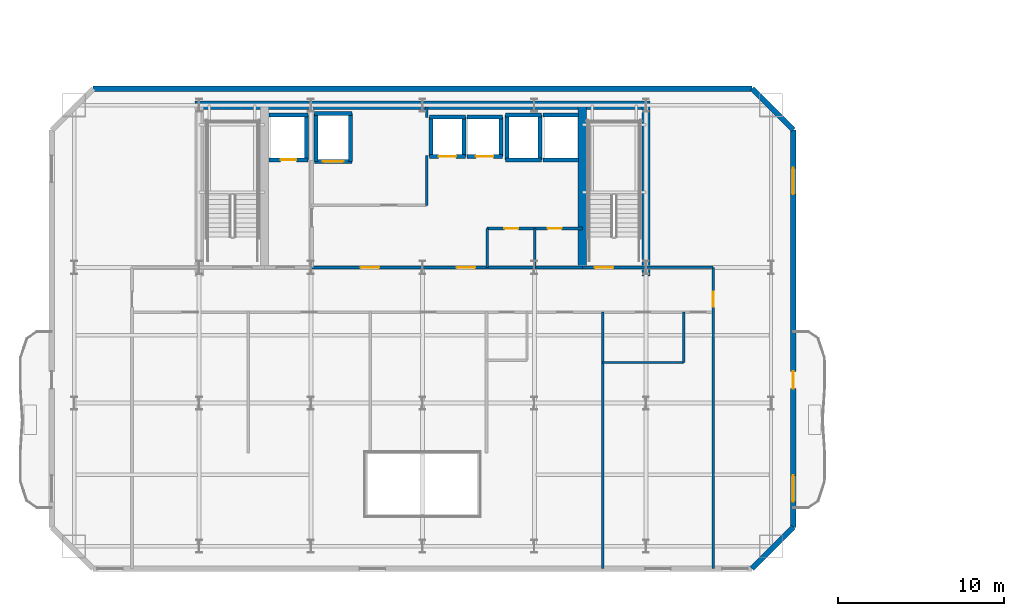
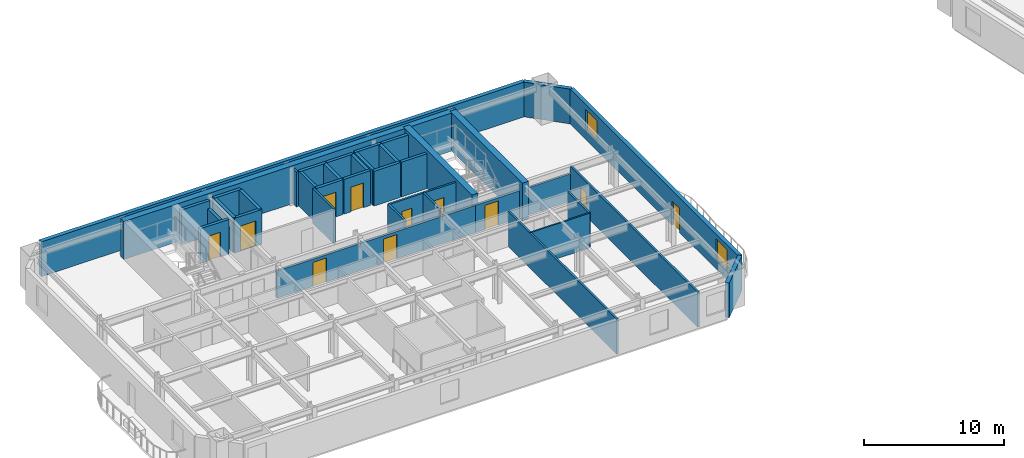
# One storey, part 6 of 13: 39 walls, 11 doors, 2 windows, 13 openings.
"""IFC4 building model written with IfcOpenShell, lengths in metres."""

from ifc_helpers import new_model, si_unit, direction, frame, frame_2d, origin, place, context, subcontext, project, spatial, rectangle, extrude, material, layer, layer_set, type_object, element, fill, save


model = new_model("IFC4")

# Units and contexts
model_context = context("Model", 3, precision=1e-05, world=origin(), true_north=direction((0.0, 1.0)))
body_context = subcontext(model_context, "Body", "Model", "MODEL_VIEW")
ifc_project = project(units=[si_unit("LENGTHUNIT", "METRE"), si_unit("AREAUNIT", "SQUARE_METRE"), si_unit("VOLUMEUNIT", "CUBIC_METRE"), si_unit("PLANEANGLEUNIT", "RADIAN"), si_unit("MASSUNIT", "GRAM", prefix="KILO")], contexts=[model_context])

# Site, building, storey
site_placement = place(None, origin())
site = spatial("IfcSite", under=ifc_project, at=site_placement, CompositionType="ELEMENT")
building_placement = place(site_placement, origin())
building = spatial("IfcBuilding", under=site, at=building_placement, Name="Haevon Station Towers", CompositionType="ELEMENT")
storey_placement = place(building_placement, frame((0.0, 0.0, 126.300048828125)))
storey = spatial("IfcBuildingStorey", under=building, at=storey_placement, Name="L34", CompositionType="ELEMENT", Elevation=126.300048828125)

# Wall, opening, door
ifc_material_1 = material(Name="Gypsum board on steel stud", Category="steel")
ifc_layer_1 = layer(ifc_material_1, 0.199951171875)
ifc_layer_set_1 = layer_set([ifc_layer_1], Name="Gypsum board on steel stud")
wall_type_1 = type_object("IfcWallType", Name="WL-COR200", PredefinedType="PARTITIONING", material=ifc_layer_set_1)
wall_1_placement = place(storey_placement, frame((47.14990234375, 38.199951171875, 0.0), z_axis=(0.0, 0.0, 1.0), x_axis=(1.0, 0.0, 0.0)))
wall_1 = element("IfcWall", 1, at=wall_1_placement, inside=storey, type_object=wall_type_1, Name="WL-ST-ST2-L34", PredefinedType="PARTITIONING", context=body_context, shape_type="SweptSolid", body=[
    extrude(rectangle(XDim=3.85009765625, YDim=0.199951171875, at=frame_2d((1.925048828125, 0.0))), origin(), (0.0, 0.0, 1.0), 2.3798828125),
])
opening_1_placement = place(wall_1_placement, frame((0.75, 0.0, 0.0)))
opening_1 = element("IfcOpeningElement", 2, at=opening_1_placement, cuts=wall_1, Name="Opening DR-ST-ST2-L34", PredefinedType="OPENING", context=body_context, shape_type="SweptSolid", body=[
    extrude(rectangle(XDim=1.1201171875, YDim=2.10009765625, at=frame_2d((0.56005859375, 1.050048828125))), frame((0.0, 0.10986328125, 0.0), z_axis=(0.0, -1.0, 0.0), x_axis=(1.0, 0.0, 0.0)), (0.0, 0.0, 1.0), 0.219970703125),
])
ifc_material_2 = material(Name="Engineered oak timber", Category="wood")
door_type_1 = type_object("IfcDoorType", Name="DR-ST-1120", OperationType="NOTDEFINED", PredefinedType="DOOR", material=ifc_material_2)
door_1_placement = place(opening_1_placement, origin())
door_1 = element("IfcDoor", 3, at=door_1_placement, inside=storey, type_object=door_type_1, Name="L34 Escape Stair ST2 Fire Door", OperationType="SINGLE_SWING_RIGHT", OverallHeight=2.10009765625, OverallWidth=1.1201171875, PredefinedType="DOOR", context=body_context, shape_type="SweptSolid", body=[
    extrude(rectangle(XDim=1.1201171875, YDim=2.10009765625, at=frame_2d((0.56005859375, 1.050048828125))), frame((0.0, 0.02490234375, 0.0), z_axis=(0.0, -1.0, 0.0), x_axis=(1.0, 0.0, 0.0)), (0.0, 0.0, 1.0), 0.050048828125),
])
fill(opening_1, door_1)

# Wall, openings, doors
wall_2_placement = place(storey_placement, frame((30.800048828125, 38.199951171875, 0.0), z_axis=(0.0, 0.0, 1.0), x_axis=(1.0, 0.0, 0.0)))
wall_2 = element("IfcWall", 4, at=wall_2_placement, inside=storey, type_object=wall_type_1, Name="WL-T1CLB-L34", PredefinedType="PARTITIONING", context=body_context, shape_type="SweptSolid", body=[
    extrude(rectangle(XDim=16.349853515625, YDim=0.199951171875, at=frame_2d((8.1748046875, 0.0))), origin(), (0.0, 0.0, 1.0), 2.3798828125),
])
opening_2_placement = place(wall_2_placement, frame((2.949951171875, 0.0, 0.0)))
opening_2 = element("IfcOpeningElement", 5, at=opening_2_placement, cuts=wall_2, Name="Opening DR-T1CLB-L34-1", PredefinedType="OPENING", context=body_context, shape_type="SweptSolid", body=[
    extrude(rectangle(XDim=1.1201171875, YDim=2.10009765625, at=frame_2d((0.56005859375, 1.050048828125))), frame((0.0, 0.10986328125, 0.0), z_axis=(0.0, -1.0, 0.0), x_axis=(1.0, 0.0, 0.0)), (0.0, 0.0, 1.0), 0.219970703125),
])
opening_3_placement = place(wall_2_placement, frame((8.75, 0.0, 0.0)))
opening_3 = element("IfcOpeningElement", 6, at=opening_3_placement, cuts=wall_2, Name="Opening DR-T1CLB-L34-2", PredefinedType="OPENING", context=body_context, shape_type="SweptSolid", body=[
    extrude(rectangle(XDim=1.1201171875, YDim=2.10009765625, at=frame_2d((0.56005859375, 1.050048828125))), frame((0.0, 0.10986328125, 0.0), z_axis=(0.0, -1.0, 0.0), x_axis=(1.0, 0.0, 0.0)), (0.0, 0.0, 1.0), 0.219970703125),
])
door_2_placement = place(opening_2_placement, origin())
door_2 = element("IfcDoor", 7, at=door_2_placement, inside=storey, type_object=door_type_1, Name="L34 Tower 1 Core Lift Lobby Door 1", OperationType="SINGLE_SWING_LEFT", OverallHeight=2.10009765625, OverallWidth=1.1201171875, PredefinedType="DOOR", context=body_context, shape_type="SweptSolid", body=[
    extrude(rectangle(XDim=1.1201171875, YDim=2.10009765625, at=frame_2d((0.56005859375, 1.050048828125))), frame((0.0, 0.02490234375, 0.0), z_axis=(0.0, -1.0, 0.0), x_axis=(1.0, 0.0, 0.0)), (0.0, 0.0, 1.0), 0.050048828125),
])
fill(opening_2, door_2)
door_3_placement = place(opening_3_placement, origin())
door_3 = element("IfcDoor", 8, at=door_3_placement, inside=storey, type_object=door_type_1, Name="L34 Tower 1 Core Lift Lobby Door 2", OperationType="SINGLE_SWING_RIGHT", OverallHeight=2.10009765625, OverallWidth=1.1201171875, PredefinedType="DOOR", context=body_context, shape_type="SweptSolid", body=[
    extrude(rectangle(XDim=1.1201171875, YDim=2.10009765625, at=frame_2d((0.56005859375, 1.050048828125))), frame((0.0, 0.02490234375, 0.0), z_axis=(0.0, -1.0, 0.0), x_axis=(1.0, 0.0, 0.0)), (0.0, 0.0, 1.0), 0.050048828125),
])
fill(opening_3, door_3)

# Walls
ifc_material_3 = material(Name="Concrete C60/75", Category="concrete")
ifc_layer_2 = layer(ifc_material_3, 0.5)
ifc_layer_set_2 = layer_set([ifc_layer_2], Name="Concrete C60/75")
wall_type_2 = type_object("IfcWallType", Name="WL-CR500", PredefinedType="SHEAR", material=ifc_layer_set_2)
wall_3_placement = place(storey_placement, frame((23.75, 48.0, 0.0), z_axis=(0.0, 0.0, 1.0), x_axis=(1.0, 0.0, 0.0)))
element("IfcWall", 9, at=wall_3_placement, inside=storey, type_object=wall_type_2, Name="WL-T1CR-L34-N", PredefinedType="SHEAR", context=body_context, shape_type="SweptSolid", body=[
    extrude(rectangle(XDim=27.5, YDim=0.5, at=frame_2d((13.75, 0.0))), origin(), (0.0, 0.0, 1.0), 3.300048828125),
])
wall_4_placement = place(storey_placement, frame((51.0, 37.679931640625, 0.0), z_axis=(0.0, 0.0, 1.0), x_axis=(0.0, 1.0, 0.0)))
element("IfcWall", 10, at=wall_4_placement, inside=storey, type_object=wall_type_2, Name="WL-T1CR-L34-E", PredefinedType="SHEAR", context=body_context, shape_type="SweptSolid", body=[
    extrude(rectangle(XDim=10.320068359375, YDim=0.5, at=frame_2d((5.16015625, 0.0))), origin(), (0.0, 0.0, 1.0), 3.300048828125),
])
wall_5_placement = place(storey_placement, frame((47.14990234375, 38.199951171875, 0.0), z_axis=(0.0, 0.0, 1.0), x_axis=(0.0, 1.0, 0.0)))
element("IfcWall", 11, at=wall_5_placement, inside=storey, type_object=wall_type_2, Name="WL-T1CR-L34-M2", PredefinedType="SHEAR", context=body_context, shape_type="SweptSolid", body=[
    extrude(rectangle(XDim=9.800048828125, YDim=0.5, at=frame_2d((4.89990234375, 0.0))), origin(), (0.0, 0.0, 1.0), 3.300048828125),
])
ifc_material_4 = material(Name="Precast concrete C45/55", Category="concrete")
ifc_layer_3 = layer(ifc_material_4, 0.320068359375)
ifc_layer_set_3 = layer_set([ifc_layer_3], Name="Precast concrete C45/55")
wall_type_3 = type_object("IfcWallType", Name="WL-EXT-PIER320", PredefinedType="SOLIDWALL", material=ifc_layer_set_3)
wall_6_placement = place(storey_placement, frame((17.60009765625, 49.0, 0.0), z_axis=(0.0, 0.0, 1.0), x_axis=(1.0, 0.0, 0.0)))
element("IfcWall", 12, at=wall_6_placement, inside=storey, type_object=wall_type_3, Name="WL-T1-L34-N", PredefinedType="SOLIDWALL", context=body_context, shape_type="SweptSolid", body=[
    extrude(rectangle(XDim=39.7998046875, YDim=0.320068359375, at=frame_2d((19.89990234375, 0.0))), origin(), (0.0, 0.0, 1.0), 3.030029296875),
])
wall_7_placement = place(storey_placement, frame((57.39990234375, 49.0, 0.0), z_axis=(0.0, 0.0, 1.0), x_axis=(0.707106781187, -0.707106781187, 0.0)))
element("IfcWall", 13, at=wall_7_placement, inside=storey, type_object=wall_type_3, Name="WL-T1-L34-NEC", PredefinedType="SOLIDWALL", context=body_context, shape_type="SweptSolid", body=[
    extrude(rectangle(XDim=3.53564453125, YDim=0.320068359375, at=frame_2d((1.767822265625, 0.0))), origin(), (0.0, 0.0, 1.0), 3.030029296875),
])

# Wall, openings, door, windows
wall_8_placement = place(storey_placement, frame((59.89990234375, 46.5, 0.0), z_axis=(0.0, 0.0, 1.0), x_axis=(0.0, -1.0, 0.0)))
wall_8 = element("IfcWall", 14, at=wall_8_placement, inside=storey, type_object=wall_type_3, Name="WL-T1-L34-E", PredefinedType="SOLIDWALL", context=body_context, shape_type="SweptSolid", body=[
    extrude(rectangle(XDim=24.0, YDim=0.320068359375, at=frame_2d((12.0, 0.0))), origin(), (0.0, 0.0, 1.0), 3.030029296875),
])
opening_4_placement = place(wall_8_placement, frame((14.574951171875, 0.0, 0.0)))
opening_4 = element("IfcOpeningElement", 15, at=opening_4_placement, cuts=wall_8, Name="Opening DR-T1-SCAL-L34-E", PredefinedType="OPENING", context=body_context, shape_type="SweptSolid", body=[
    extrude(rectangle(XDim=1.050048828125, YDim=2.10009765625, at=frame_2d((0.52490234375, 1.050048828125))), frame((0.0, 0.169921875, 0.0), z_axis=(0.0, -1.0, 0.0), x_axis=(1.0, 0.0, 0.0)), (0.0, 0.0, 1.0), 0.340087890625),
])
opening_5_placement = place(wall_8_placement, frame((2.28564453125, 0.0, 0.800048828125)))
opening_5 = element("IfcOpeningElement", 16, at=opening_5_placement, cuts=wall_8, Name="Opening WN-END160", PredefinedType="OPENING", context=body_context, shape_type="SweptSolid", body=[
    extrude(rectangle(XDim=1.60009765625, YDim=1.800048828125, at=frame_2d((0.800048828125, 0.89990234375))), frame((0.0, 0.169921875, 0.0), z_axis=(0.0, -1.0, 0.0), x_axis=(1.0, 0.0, 0.0)), (0.0, 0.0, 1.0), 0.340087890625),
])
opening_6_placement = place(wall_8_placement, frame((20.857177734375, 0.0, 0.800048828125)))
opening_6 = element("IfcOpeningElement", 17, at=opening_6_placement, cuts=wall_8, Name="Opening WN-END160", PredefinedType="OPENING", context=body_context, shape_type="SweptSolid", body=[
    extrude(rectangle(XDim=1.60009765625, YDim=1.800048828125, at=frame_2d((0.800048828125, 0.89990234375))), frame((0.0, 0.169921875, 0.0), z_axis=(0.0, -1.0, 0.0), x_axis=(1.0, 0.0, 0.0)), (0.0, 0.0, 1.0), 0.340087890625),
])
ifc_material_5 = material(Name="Thermally broken anodised aluminium and laminated safety glass", Category="aluminium")
door_type_2 = type_object("IfcDoorType", Name="DR-BALC-1050", OperationType="NOTDEFINED", PredefinedType="DOOR", material=ifc_material_5)
door_4_placement = place(opening_4_placement, origin())
door_4 = element("IfcDoor", 18, at=door_4_placement, inside=storey, type_object=door_type_2, Name="Tower 1 L34 East Scalloped Balcony Door", OperationType="SINGLE_SWING_LEFT", OverallHeight=2.10009765625, OverallWidth=1.050048828125, PredefinedType="DOOR", context=body_context, shape_type="SweptSolid", body=[
    extrude(rectangle(XDim=1.050048828125, YDim=2.10009765625, at=frame_2d((0.52490234375, 1.050048828125))), frame((0.0, 0.02490234375, 0.0), z_axis=(0.0, -1.0, 0.0), x_axis=(1.0, 0.0, 0.0)), (0.0, 0.0, 1.0), 0.050048828125),
])
fill(opening_4, door_4)
ifc_material_6 = material(Name="Low-E triple glazing in thermally broken aluminium", Category="aluminium")
window_type = type_object("IfcWindowType", Name="WN-END160", PartitioningType="SINGLE_PANEL", PredefinedType="WINDOW", material=ifc_material_6)
window_1_placement = place(opening_5_placement, origin())
window_1 = element("IfcWindow", 19, at=window_1_placement, inside=storey, type_object=window_type, Name="WN-T1-L34-E01", OverallHeight=1.800048828125, OverallWidth=1.60009765625, PartitioningType="SINGLE_PANEL", PredefinedType="WINDOW", context=body_context, shape_type="SweptSolid", body=[
    extrude(rectangle(XDim=1.60009765625, YDim=1.800048828125, at=frame_2d((0.800048828125, 0.89990234375))), frame((0.0, 0.030029296875, 0.0), z_axis=(0.0, -1.0, 0.0), x_axis=(1.0, 0.0, 0.0)), (0.0, 0.0, 1.0), 0.06005859375),
])
fill(opening_5, window_1)
window_2_placement = place(opening_6_placement, origin())
window_2 = element("IfcWindow", 20, at=window_2_placement, inside=storey, type_object=window_type, Name="WN-T1-L34-E02", OverallHeight=1.800048828125, OverallWidth=1.60009765625, PartitioningType="SINGLE_PANEL", PredefinedType="WINDOW", context=body_context, shape_type="SweptSolid", body=[
    extrude(rectangle(XDim=1.60009765625, YDim=1.800048828125, at=frame_2d((0.800048828125, 0.89990234375))), frame((0.0, 0.030029296875, 0.0), z_axis=(0.0, -1.0, 0.0), x_axis=(1.0, 0.0, 0.0)), (0.0, 0.0, 1.0), 0.06005859375),
])
fill(opening_6, window_2)

# Walls
wall_9_placement = place(storey_placement, frame((59.89990234375, 22.5, 0.0), z_axis=(0.0, 0.0, 1.0), x_axis=(-0.707106781187, -0.707106781187, 0.0)))
element("IfcWall", 21, at=wall_9_placement, inside=storey, type_object=wall_type_3, Name="WL-T1-L34-SEC", PredefinedType="SOLIDWALL", context=body_context, shape_type="SweptSolid", body=[
    extrude(rectangle(XDim=3.53564453125, YDim=0.320068359375, at=frame_2d((1.767822265625, 0.0))), origin(), (0.0, 0.0, 1.0), 3.030029296875),
])
ifc_layer_4 = layer(ifc_material_1, 0.125)
ifc_layer_set_4 = layer_set([ifc_layer_4], Name="Gypsum board on steel stud")
wall_type_4 = type_object("IfcWallType", Name="WL-PRT125", PredefinedType="PARTITIONING", material=ifc_layer_set_4)
wall_10_placement = place(storey_placement, frame((48.381103515625, 32.449951171875, 0.0), z_axis=(0.0, 0.0, 1.0), x_axis=(1.0, 0.0, 0.0)))
element("IfcWall", 22, at=wall_10_placement, inside=storey, type_object=wall_type_4, Name="WL-T1PT-L34-17", PredefinedType="PARTITIONING", context=body_context, shape_type="SweptSolid", body=[
    extrude(rectangle(XDim=4.888916015625, YDim=0.125, at=frame_2d((2.4443359375, 0.0))), origin(), (0.0, 0.0, 1.0), 3.030029296875),
])
ifc_layer_5 = layer(ifc_material_1, 0.139892578125)
ifc_layer_set_5 = layer_set([ifc_layer_5], Name="Gypsum board on steel stud")
wall_type_5 = type_object("IfcWallType", Name="WL-PRT140", PredefinedType="PARTITIONING", material=ifc_layer_set_5)
wall_11_placement = place(storey_placement, frame((53.27001953125, 32.449951171875, 0.0), z_axis=(0.0, 0.0, 1.0), x_axis=(0.0, 1.0, 0.0)))
element("IfcWall", 23, at=wall_11_placement, inside=storey, type_object=wall_type_5, Name="WL-T1PT-L34-18", PredefinedType="PARTITIONING", context=body_context, shape_type="SweptSolid", body=[
    extrude(rectangle(XDim=3.050048828125, YDim=0.139892578125, at=frame_2d((1.52490234375, 0.0))), origin(), (0.0, 0.0, 1.0), 3.030029296875),
])
ifc_layer_6 = layer(ifc_material_1, 0.159912109375)
ifc_layer_set_6 = layer_set([ifc_layer_6], Name="Gypsum board on steel stud")
wall_type_6 = type_object("IfcWallType", Name="WL-PRT160", PredefinedType="PARTITIONING", material=ifc_layer_set_6)
wall_12_placement = place(storey_placement, frame((37.75, 41.949951171875, 0.0), z_axis=(0.0, 0.0, 1.0), x_axis=(0.0, 1.0, 0.0)))
element("IfcWall", 24, at=wall_12_placement, inside=storey, type_object=wall_type_6, Name="WL-T1CW-L34-02", PredefinedType="PARTITIONING", context=body_context, shape_type="SweptSolid", body=[
    extrude(rectangle(XDim=3.0, YDim=0.159912109375, at=frame_2d((1.5, 0.0))), origin(), (0.0, 0.0, 1.0), 3.030029296875),
])
wall_13_placement = place(storey_placement, frame((37.75, 47.25, 0.0), z_axis=(0.0, 0.0, 1.0), x_axis=(0.0, 1.0, 0.0)))
element("IfcWall", 25, at=wall_13_placement, inside=storey, type_object=wall_type_6, Name="WL-T1CW-L34-03", PredefinedType="PARTITIONING", context=body_context, shape_type="SweptSolid", body=[
    extrude(rectangle(XDim=0.64990234375, YDim=0.159912109375, at=frame_2d((0.324951171875, 0.0))), origin(), (0.0, 0.0, 1.0), 3.030029296875),
])
for number, where, z_axis, x_axis, name in (
    (26, (41.39990234375, 38.199951171875, 0.0), (0.0, 0.0, 1.0), (0.0, 1.0, 0.0), "WL-T1CW-L34-04"),
    (27, (44.280029296875, 38.199951171875, 0.0), (0.0, 0.0, 1.0), (0.0, 1.0, 0.0), "WL-T1CW-L34-05"),
):
    element("IfcWall", number, at=place(storey_placement, frame(where, z_axis=z_axis, x_axis=x_axis)), inside=storey, type_object=wall_type_6, Name=name, PredefinedType="PARTITIONING", context=body_context, shape_type="SweptSolid", body=[
        extrude(rectangle(XDim=2.35009765625, YDim=0.159912109375, at=frame_2d((1.175048828125, 0.0))), origin(), (0.0, 0.0, 1.0), 3.030029296875),
    ])

# Wall, openings, doors
wall_14_placement = place(storey_placement, frame((41.39990234375, 40.550048828125, 0.0), z_axis=(0.0, 0.0, 1.0), x_axis=(1.0, 0.0, 0.0)))
wall_14 = element("IfcWall", 28, at=wall_14_placement, inside=storey, type_object=wall_type_6, Name="WL-T1CW-L34-06", PredefinedType="PARTITIONING", context=body_context, shape_type="SweptSolid", body=[
    extrude(rectangle(XDim=5.75, YDim=0.159912109375, at=frame_2d((2.875, 0.0))), origin(), (0.0, 0.0, 1.0), 3.030029296875),
])
opening_7_placement = place(wall_14_placement, frame((1.034912109375, 0.0, 0.0)))
opening_7 = element("IfcOpeningElement", 29, at=opening_7_placement, cuts=wall_14, Name="Opening DR-WL-T1CW-L34-06-1", PredefinedType="OPENING", context=body_context, shape_type="SweptSolid", body=[
    extrude(rectangle(XDim=0.85009765625, YDim=2.050048828125, at=frame_2d((0.425048828125, 1.02490234375))), frame((0.0, 0.08984375, 0.0), z_axis=(0.0, -1.0, 0.0), x_axis=(1.0, 0.0, 0.0)), (0.0, 0.0, 1.0), 0.179931640625),
])
opening_8_placement = place(wall_14_placement, frame((3.655029296875, 0.0, 0.0)))
opening_8 = element("IfcOpeningElement", 30, at=opening_8_placement, cuts=wall_14, Name="Opening DR-WL-T1CW-L34-06-2", PredefinedType="OPENING", context=body_context, shape_type="SweptSolid", body=[
    extrude(rectangle(XDim=0.85009765625, YDim=2.050048828125, at=frame_2d((0.425048828125, 1.02490234375))), frame((0.0, 0.08984375, 0.0), z_axis=(0.0, -1.0, 0.0), x_axis=(1.0, 0.0, 0.0)), (0.0, 0.0, 1.0), 0.179931640625),
])
door_type_3 = type_object("IfcDoorType", Name="DR-FD30-850", OperationType="NOTDEFINED", PredefinedType="DOOR", material=ifc_material_2)
door_5_placement = place(opening_7_placement, origin())
door_5 = element("IfcDoor", 31, at=door_5_placement, inside=storey, type_object=door_type_3, Name="L34 Tower 1 Core Room Door 6-1", OperationType="SINGLE_SWING_RIGHT", OverallHeight=2.050048828125, OverallWidth=0.85009765625, PredefinedType="DOOR", context=body_context, shape_type="SweptSolid", body=[
    extrude(rectangle(XDim=0.85009765625, YDim=2.050048828125, at=frame_2d((0.425048828125, 1.02490234375))), frame((0.0, 0.02490234375, 0.0), z_axis=(0.0, -1.0, 0.0), x_axis=(1.0, 0.0, 0.0)), (0.0, 0.0, 1.0), 0.050048828125),
])
fill(opening_7, door_5)
door_6_placement = place(opening_8_placement, origin())
door_6 = element("IfcDoor", 32, at=door_6_placement, inside=storey, type_object=door_type_3, Name="L34 Tower 1 Core Room Door 6-2", OperationType="SINGLE_SWING_LEFT", OverallHeight=2.050048828125, OverallWidth=0.85009765625, PredefinedType="DOOR", context=body_context, shape_type="SweptSolid", body=[
    extrude(rectangle(XDim=0.85009765625, YDim=2.050048828125, at=frame_2d((0.425048828125, 1.02490234375))), frame((0.0, 0.02490234375, 0.0), z_axis=(0.0, -1.0, 0.0), x_axis=(1.0, 0.0, 0.0)), (0.0, 0.0, 1.0), 0.050048828125),
])
fill(opening_8, door_6)

# Wall
wall_15_placement = place(storey_placement, frame((51.0, 38.199951171875, 0.0), z_axis=(0.0, 0.0, 1.0), x_axis=(1.0, 0.0, 0.0)))
element("IfcWall", 33, at=wall_15_placement, inside=storey, type_object=wall_type_6, Name="WL-T1PT-L34-02", PredefinedType="PARTITIONING", context=body_context, shape_type="SweptSolid", body=[
    extrude(rectangle(XDim=4.050048828125, YDim=0.159912109375, at=frame_2d((2.02490234375, 0.0))), origin(), (0.0, 0.0, 1.0), 2.3798828125),
])

# Wall, opening, door
wall_16_placement = place(storey_placement, frame((55.050048828125, 20.0, 0.0), z_axis=(0.0, 0.0, 1.0), x_axis=(0.0, 1.0, 0.0)))
wall_16 = element("IfcWall", 34, at=wall_16_placement, inside=storey, type_object=wall_type_6, Name="WL-T1PT-L34-04", PredefinedType="PARTITIONING", context=body_context, shape_type="SweptSolid", body=[
    extrude(rectangle(XDim=18.199951171875, YDim=0.159912109375, at=frame_2d((9.10009765625, 0.0))), origin(), (0.0, 0.0, 1.0), 3.030029296875),
])
opening_9_placement = place(wall_16_placement, frame((15.820068359375, 0.0, 0.0)))
opening_9 = element("IfcOpeningElement", 35, at=opening_9_placement, cuts=wall_16, Name="Opening DR-WL-T1PT-L34-04-01", PredefinedType="OPENING", context=body_context, shape_type="SweptSolid", body=[
    extrude(rectangle(XDim=0.89990234375, YDim=2.050048828125, at=frame_2d((0.449951171875, 1.02490234375))), frame((0.0, 0.08984375, 0.0), z_axis=(0.0, -1.0, 0.0), x_axis=(1.0, 0.0, 0.0)), (0.0, 0.0, 1.0), 0.179931640625),
])
door_type_4 = type_object("IfcDoorType", Name="DR-INT-900", OperationType="NOTDEFINED", PredefinedType="DOOR", material=ifc_material_2)
door_7_placement = place(opening_9_placement, origin())
door_7 = element("IfcDoor", 36, at=door_7_placement, inside=storey, type_object=door_type_4, Name="L34 Tower 1 Room Door 4-1", OperationType="SINGLE_SWING_LEFT", OverallHeight=2.050048828125, OverallWidth=0.89990234375, PredefinedType="DOOR", context=body_context, shape_type="SweptSolid", body=[
    extrude(rectangle(XDim=0.89990234375, YDim=2.050048828125, at=frame_2d((0.449951171875, 1.02490234375))), frame((0.0, 0.02490234375, 0.0), z_axis=(0.0, -1.0, 0.0), x_axis=(1.0, 0.0, 0.0)), (0.0, 0.0, 1.0), 0.050048828125),
])
fill(opening_9, door_7)

# Wall
wall_17_placement = place(storey_placement, frame((48.381103515625, 20.0, 0.0), z_axis=(0.0, 0.0, 1.0), x_axis=(0.0, 1.0, 0.0)))
element("IfcWall", 37, at=wall_17_placement, inside=storey, type_object=wall_type_6, Name="WL-T1PT-L34-16", PredefinedType="PARTITIONING", context=body_context, shape_type="SweptSolid", body=[
    extrude(rectangle(XDim=15.5, YDim=0.159912109375, at=frame_2d((7.75, 0.0))), origin(), (0.0, 0.0, 1.0), 3.030029296875),
])

# Wall, opening, door
ifc_material_7 = material(Name="Concrete C40/50", Category="concrete")
ifc_layer_7 = layer(ifc_material_7, 0.239990234375)
ifc_layer_set_7 = layer_set([ifc_layer_7], Name="Concrete C40/50")
wall_type_7 = type_object("IfcWallType", Name="WL-SHF240", PredefinedType="PARTITIONING", material=ifc_layer_set_7)
wall_18_placement = place(storey_placement, frame((28.219970703125, 44.699951171875, 0.0), z_axis=(0.0, 0.0, 1.0), x_axis=(1.0, 0.0, 0.0)))
wall_18 = element("IfcWall", 38, at=wall_18_placement, inside=storey, type_object=wall_type_7, Name="WL-SHF-FL1-L34", PredefinedType="PARTITIONING", context=body_context, shape_type="SweptSolid", body=[
    extrude(rectangle(XDim=2.360107421875, YDim=0.239990234375, at=frame_2d((1.18017578125, 0.0))), origin(), (0.0, 0.0, 1.0), 3.030029296875),
])
opening_10_placement = place(wall_18_placement, frame((0.705078125, 0.0, 0.0)))
opening_10 = element("IfcOpeningElement", 39, at=opening_10_placement, cuts=wall_18, Name="Opening LD-FL1-L34", PredefinedType="OPENING", context=body_context, shape_type="SweptSolid", body=[
    extrude(rectangle(XDim=0.949951171875, YDim=2.14990234375, at=frame_2d((0.47509765625, 1.074951171875))), frame((0.0, 0.1298828125, 0.0), z_axis=(0.0, -1.0, 0.0), x_axis=(1.0, 0.0, 0.0)), (0.0, 0.0, 1.0), 0.260009765625),
])
ifc_material_8 = material(Name="Stainless steel and rated core", Category="steel")
door_type_5 = type_object("IfcDoorType", Name="LD-FL950", OperationType="SLIDING_TO_LEFT", PredefinedType="DOOR", material=ifc_material_8)
door_8_placement = place(opening_10_placement, origin())
door_8 = element("IfcDoor", 40, at=door_8_placement, inside=storey, type_object=door_type_5, Name="L34 Lift FL1 Sliding Landing Door", OperationType="SLIDING_TO_LEFT", OverallHeight=2.14990234375, OverallWidth=0.949951171875, PredefinedType="DOOR", context=body_context, shape_type="SweptSolid", body=[
    extrude(rectangle(XDim=0.949951171875, YDim=2.14990234375, at=frame_2d((0.47509765625, 1.074951171875))), frame((0.0, 0.02490234375, 0.0), z_axis=(0.0, -1.0, 0.0), x_axis=(1.0, 0.0, 0.0)), (0.0, 0.0, 1.0), 0.050048828125),
])
fill(opening_10, door_8)

# Walls
wall_19_placement = place(storey_placement, frame((28.219970703125, 47.39990234375, 0.0), z_axis=(0.0, 0.0, 1.0), x_axis=(1.0, 0.0, 0.0)))
element("IfcWall", 41, at=wall_19_placement, inside=storey, type_object=wall_type_7, Name="WL-SHF-FL1-L34-N", PredefinedType="PARTITIONING", context=body_context, shape_type="SweptSolid", body=[
    extrude(rectangle(XDim=2.360107421875, YDim=0.239990234375, at=frame_2d((1.18017578125, 0.0))), origin(), (0.0, 0.0, 1.0), 3.030029296875),
])
wall_20_placement = place(storey_placement, frame((30.5, 44.699951171875, 0.0), z_axis=(0.0, 0.0, 1.0), x_axis=(0.0, 1.0, 0.0)))
element("IfcWall", 42, at=wall_20_placement, inside=storey, type_object=wall_type_7, Name="WL-SHF-FL1-L34-E", PredefinedType="PARTITIONING", context=body_context, shape_type="SweptSolid", body=[
    extrude(rectangle(XDim=2.699951171875, YDim=0.239990234375, at=frame_2d((1.35009765625, 0.0))), origin(), (0.0, 0.0, 1.0), 2.3798828125),
])

# Wall, opening, door
wall_21_placement = place(storey_placement, frame((30.969970703125, 44.60009765625, 0.0), z_axis=(0.0, 0.0, 1.0), x_axis=(1.0, 0.0, 0.0)))
wall_21 = element("IfcWall", 43, at=wall_21_placement, inside=storey, type_object=wall_type_7, Name="WL-SHF-SL1-L34", PredefinedType="PARTITIONING", context=body_context, shape_type="SweptSolid", body=[
    extrude(rectangle(XDim=2.260009765625, YDim=0.239990234375, at=frame_2d((1.1298828125, 0.0))), origin(), (0.0, 0.0, 1.0), 3.030029296875),
])
opening_11_placement = place(wall_21_placement, frame((0.5048828125, 0.0, 0.0)))
opening_11 = element("IfcOpeningElement", 44, at=opening_11_placement, cuts=wall_21, Name="Opening LD-SL1-L34", PredefinedType="OPENING", context=body_context, shape_type="SweptSolid", body=[
    extrude(rectangle(XDim=1.25, YDim=2.199951171875, at=frame_2d((0.625, 1.10009765625))), frame((0.0, 0.1298828125, 0.0), z_axis=(0.0, -1.0, 0.0), x_axis=(1.0, 0.0, 0.0)), (0.0, 0.0, 1.0), 0.260009765625),
])
door_type_6 = type_object("IfcDoorType", Name="LD-SL1250", OperationType="SLIDING_TO_LEFT", PredefinedType="DOOR", material=ifc_material_8)
door_9_placement = place(opening_11_placement, origin())
door_9 = element("IfcDoor", 45, at=door_9_placement, inside=storey, type_object=door_type_6, Name="L34 Lift SL1 Sliding Landing Door", OperationType="SLIDING_TO_LEFT", OverallHeight=2.199951171875, OverallWidth=1.25, PredefinedType="DOOR", context=body_context, shape_type="SweptSolid", body=[
    extrude(rectangle(XDim=1.25, YDim=2.199951171875, at=frame_2d((0.625, 1.10009765625))), frame((0.0, 0.02490234375, 0.0), z_axis=(0.0, -1.0, 0.0), x_axis=(1.0, 0.0, 0.0)), (0.0, 0.0, 1.0), 0.050048828125),
])
fill(opening_11, door_9)

# Walls
wall_22_placement = place(storey_placement, frame((30.969970703125, 47.5, 0.0), z_axis=(0.0, 0.0, 1.0), x_axis=(1.0, 0.0, 0.0)))
element("IfcWall", 46, at=wall_22_placement, inside=storey, type_object=wall_type_7, Name="WL-SHF-SL1-L34-N", PredefinedType="PARTITIONING", context=body_context, shape_type="SweptSolid", body=[
    extrude(rectangle(XDim=2.260009765625, YDim=0.239990234375, at=frame_2d((1.1298828125, 0.0))), origin(), (0.0, 0.0, 1.0), 3.030029296875),
])
for number, where, z_axis, x_axis, name in (
    (47, (31.050048828125, 44.60009765625, 0.0), (0.0, 0.0, 1.0), (0.0, 1.0, 0.0), "WL-SHF-SL1-L34-W"),
    (48, (33.14990234375, 44.60009765625, 0.0), (0.0, 0.0, 1.0), (0.0, 1.0, 0.0), "WL-SHF-SL1-L34-E"),
):
    element("IfcWall", number, at=place(storey_placement, frame(where, z_axis=z_axis, x_axis=x_axis)), inside=storey, type_object=wall_type_7, Name=name, PredefinedType="PARTITIONING", context=body_context, shape_type="SweptSolid", body=[
        extrude(rectangle(XDim=2.89990234375, YDim=0.239990234375, at=frame_2d((1.449951171875, 0.0))), origin(), (0.0, 0.0, 1.0), 3.030029296875),
    ])

# Wall, opening, door
wall_23_placement = place(storey_placement, frame((37.919921875, 44.89990234375, 0.0), z_axis=(0.0, 0.0, 1.0), x_axis=(1.0, 0.0, 0.0)))
wall_23 = element("IfcWall", 49, at=wall_23_placement, inside=storey, type_object=wall_type_7, Name="WL-SHF-PL3-L34", PredefinedType="PARTITIONING", context=body_context, shape_type="SweptSolid", body=[
    extrude(rectangle(XDim=2.16015625, YDim=0.239990234375, at=frame_2d((1.080078125, 0.0))), origin(), (0.0, 0.0, 1.0), 3.030029296875),
])
opening_12_placement = place(wall_23_placement, frame((0.554931640625, 0.0, 0.0)))
opening_12 = element("IfcOpeningElement", 50, at=opening_12_placement, cuts=wall_23, Name="Opening LD-PL3-L34", PredefinedType="OPENING", context=body_context, shape_type="SweptSolid", body=[
    extrude(rectangle(XDim=1.050048828125, YDim=2.14990234375, at=frame_2d((0.52490234375, 1.074951171875))), frame((0.0, 0.1298828125, 0.0), z_axis=(0.0, -1.0, 0.0), x_axis=(1.0, 0.0, 0.0)), (0.0, 0.0, 1.0), 0.260009765625),
])
door_type_7 = type_object("IfcDoorType", Name="LD-PL1050", OperationType="SLIDING_TO_LEFT", PredefinedType="DOOR", material=ifc_material_8)
door_10_placement = place(opening_12_placement, origin())
door_10 = element("IfcDoor", 51, at=door_10_placement, inside=storey, type_object=door_type_7, Name="L34 Lift PL3 Sliding Landing Door", OperationType="SLIDING_TO_LEFT", OverallHeight=2.14990234375, OverallWidth=1.050048828125, PredefinedType="DOOR", context=body_context, shape_type="SweptSolid", body=[
    extrude(rectangle(XDim=1.050048828125, YDim=2.14990234375, at=frame_2d((0.52490234375, 1.074951171875))), frame((0.0, 0.02490234375, 0.0), z_axis=(0.0, -1.0, 0.0), x_axis=(1.0, 0.0, 0.0)), (0.0, 0.0, 1.0), 0.050048828125),
])
fill(opening_12, door_10)

# Walls
wall_24_placement = place(storey_placement, frame((37.919921875, 47.300048828125, 0.0), z_axis=(0.0, 0.0, 1.0), x_axis=(1.0, 0.0, 0.0)))
element("IfcWall", 52, at=wall_24_placement, inside=storey, type_object=wall_type_7, Name="WL-SHF-PL3-L34-N", PredefinedType="PARTITIONING", context=body_context, shape_type="SweptSolid", body=[
    extrude(rectangle(XDim=2.16015625, YDim=0.239990234375, at=frame_2d((1.080078125, 0.0))), origin(), (0.0, 0.0, 1.0), 3.030029296875),
])
for number, where, z_axis, x_axis, name in (
    (53, (38.0, 44.89990234375, 0.0), (0.0, 0.0, 1.0), (0.0, 1.0, 0.0), "WL-SHF-PL3-L34-W"),
    (54, (40.0, 44.89990234375, 0.0), (0.0, 0.0, 1.0), (0.0, 1.0, 0.0), "WL-SHF-PL3-L34-E"),
):
    element("IfcWall", number, at=place(storey_placement, frame(where, z_axis=z_axis, x_axis=x_axis)), inside=storey, type_object=wall_type_7, Name=name, PredefinedType="PARTITIONING", context=body_context, shape_type="SweptSolid", body=[
        extrude(rectangle(XDim=2.400146484375, YDim=0.239990234375, at=frame_2d((1.2001953125, 0.0))), origin(), (0.0, 0.0, 1.0), 3.030029296875),
    ])

# Wall, opening, door
wall_25_placement = place(storey_placement, frame((40.169921875, 44.89990234375, 0.0), z_axis=(0.0, 0.0, 1.0), x_axis=(1.0, 0.0, 0.0)))
wall_25 = element("IfcWall", 55, at=wall_25_placement, inside=storey, type_object=wall_type_7, Name="WL-SHF-PL4-L34", PredefinedType="PARTITIONING", context=body_context, shape_type="SweptSolid", body=[
    extrude(rectangle(XDim=2.16015625, YDim=0.239990234375, at=frame_2d((1.080078125, 0.0))), origin(), (0.0, 0.0, 1.0), 3.030029296875),
])
opening_13_placement = place(wall_25_placement, frame((0.554931640625, 0.0, 0.0)))
opening_13 = element("IfcOpeningElement", 56, at=opening_13_placement, cuts=wall_25, Name="Opening LD-PL4-L34", PredefinedType="OPENING", context=body_context, shape_type="SweptSolid", body=[
    extrude(rectangle(XDim=1.050048828125, YDim=2.14990234375, at=frame_2d((0.52490234375, 1.074951171875))), frame((0.0, 0.1298828125, 0.0), z_axis=(0.0, -1.0, 0.0), x_axis=(1.0, 0.0, 0.0)), (0.0, 0.0, 1.0), 0.260009765625),
])
door_11_placement = place(opening_13_placement, origin())
door_11 = element("IfcDoor", 57, at=door_11_placement, inside=storey, type_object=door_type_7, Name="L34 Lift PL4 Sliding Landing Door", OperationType="SLIDING_TO_LEFT", OverallHeight=2.14990234375, OverallWidth=1.050048828125, PredefinedType="DOOR", context=body_context, shape_type="SweptSolid", body=[
    extrude(rectangle(XDim=1.050048828125, YDim=2.14990234375, at=frame_2d((0.52490234375, 1.074951171875))), frame((0.0, 0.02490234375, 0.0), z_axis=(0.0, -1.0, 0.0), x_axis=(1.0, 0.0, 0.0)), (0.0, 0.0, 1.0), 0.050048828125),
])
fill(opening_13, door_11)

# Walls
wall_26_placement = place(storey_placement, frame((40.169921875, 47.300048828125, 0.0), z_axis=(0.0, 0.0, 1.0), x_axis=(1.0, 0.0, 0.0)))
element("IfcWall", 58, at=wall_26_placement, inside=storey, type_object=wall_type_7, Name="WL-SHF-PL4-L34-N", PredefinedType="PARTITIONING", context=body_context, shape_type="SweptSolid", body=[
    extrude(rectangle(XDim=2.16015625, YDim=0.239990234375, at=frame_2d((1.080078125, 0.0))), origin(), (0.0, 0.0, 1.0), 3.030029296875),
])
wall_27_placement = place(storey_placement, frame((42.25, 44.89990234375, 0.0), z_axis=(0.0, 0.0, 1.0), x_axis=(0.0, 1.0, 0.0)))
element("IfcWall", 59, at=wall_27_placement, inside=storey, type_object=wall_type_7, Name="WL-SHF-PL4-L34-E", PredefinedType="PARTITIONING", context=body_context, shape_type="SweptSolid", body=[
    extrude(rectangle(XDim=2.400146484375, YDim=0.239990234375, at=frame_2d((1.2001953125, 0.0))), origin(), (0.0, 0.0, 1.0), 3.030029296875),
])
for number, where, z_axis, x_axis, name in (
    (60, (42.52001953125, 44.699951171875, 0.0), (0.0, 0.0, 1.0), (1.0, 0.0, 0.0), "WL-SHF-PL5-L34"),
    (61, (42.52001953125, 47.39990234375, 0.0), (0.0, 0.0, 1.0), (1.0, 0.0, 0.0), "WL-SHF-PL5-L34-N"),
):
    element("IfcWall", number, at=place(storey_placement, frame(where, z_axis=z_axis, x_axis=x_axis)), inside=storey, type_object=wall_type_7, Name=name, PredefinedType="PARTITIONING", context=body_context, shape_type="SweptSolid", body=[
        extrude(rectangle(XDim=2.159912109375, YDim=0.239990234375, at=frame_2d((1.080078125, 0.0))), origin(), (0.0, 0.0, 1.0), 3.030029296875),
    ])
for number, where, z_axis, x_axis, name in (
    (62, (42.60009765625, 44.699951171875, 0.0), (0.0, 0.0, 1.0), (0.0, 1.0, 0.0), "WL-SHF-PL5-L34-W"),
    (63, (44.60009765625, 44.699951171875, 0.0), (0.0, 0.0, 1.0), (0.0, 1.0, 0.0), "WL-SHF-PL5-L34-E"),
):
    element("IfcWall", number, at=place(storey_placement, frame(where, z_axis=z_axis, x_axis=x_axis)), inside=storey, type_object=wall_type_7, Name=name, PredefinedType="PARTITIONING", context=body_context, shape_type="SweptSolid", body=[
        extrude(rectangle(XDim=2.699951171875, YDim=0.239990234375, at=frame_2d((1.35009765625, 0.0))), origin(), (0.0, 0.0, 1.0), 3.030029296875),
    ])
for number, where, z_axis, x_axis, name in (
    (64, (44.77001953125, 44.699951171875, 0.0), (0.0, 0.0, 1.0), (1.0, 0.0, 0.0), "WL-SHF-PL6-L34"),
    (65, (44.77001953125, 47.39990234375, 0.0), (0.0, 0.0, 1.0), (1.0, 0.0, 0.0), "WL-SHF-PL6-L34-N"),
):
    element("IfcWall", number, at=place(storey_placement, frame(where, z_axis=z_axis, x_axis=x_axis)), inside=storey, type_object=wall_type_7, Name=name, PredefinedType="PARTITIONING", context=body_context, shape_type="SweptSolid", body=[
        extrude(rectangle(XDim=2.159912109375, YDim=0.239990234375, at=frame_2d((1.080078125, 0.0))), origin(), (0.0, 0.0, 1.0), 3.030029296875),
    ])

save(model, "model.ifc")
